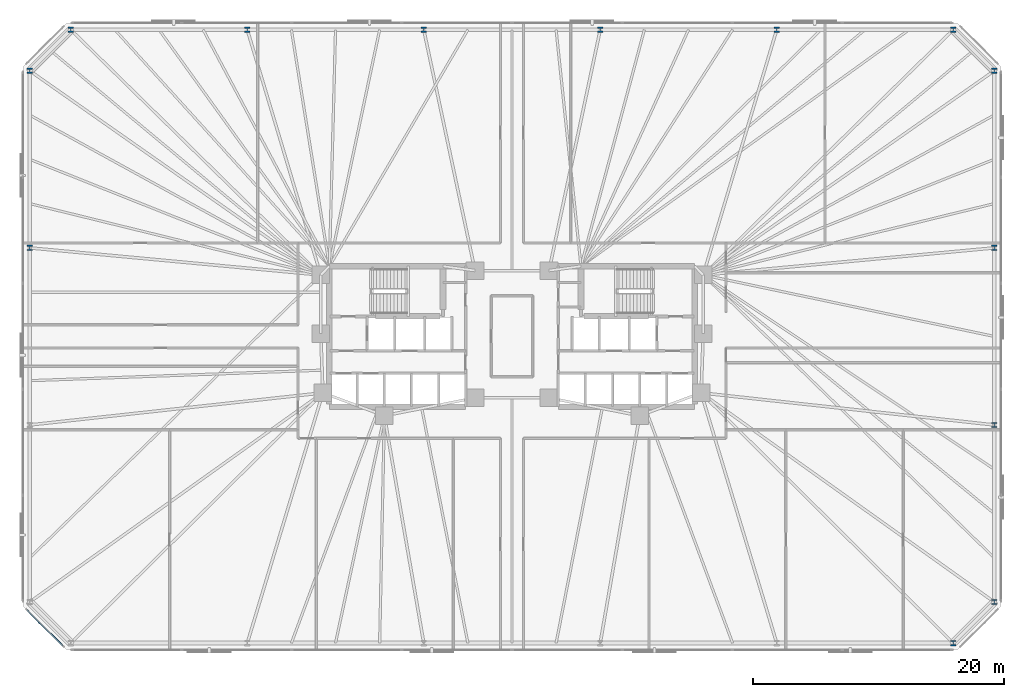
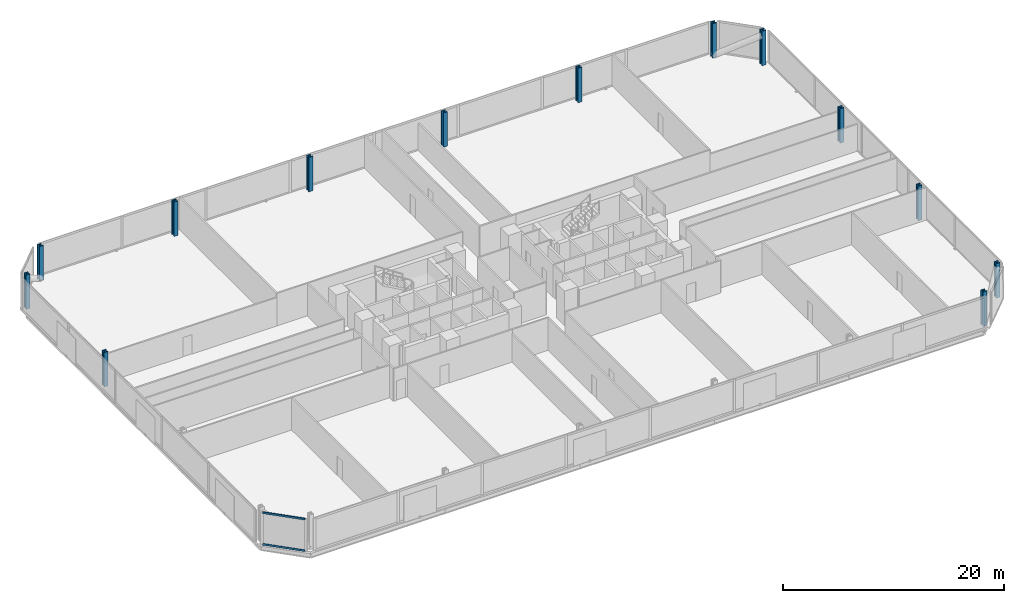
# One storey, part 5 of 17: 13 columns, 2 members, 1 element without a shape of its own.
"""IFC4 building model written with IfcOpenShell, lengths in metres."""

import ifcopenshell
import ifcopenshell.guid

model = None  # the IFC model being written
_history = None  # IfcOwnerHistory: only IFC2X3 demands one
_inside = {}  # id of a spatial element -> (the spatial element, [elements in it])
_under = {}  # id of a project, library or spatial element -> (it, [spatial elements below it])
_declared = {}  # id of a project -> (the project, [libraries it declares])
_typed = {}  # id of a type object -> (the type object, [elements of that type])
_made_of = {}  # id of a material, layer set ... -> (it, [elements and type objects made of it])


def new_model(schema):
    """Start an empty IFC model of exactly this schema.

    Asked for "IFC4X3", IfcOpenShell would pick the latest addendum, in which some entities
    have other attributes; the version numbers below select the first issue.
    IFC2X3 requires an IfcOwnerHistory on every rooted entity: one is made here for all.
    """
    global model, _history
    if schema == "IFC4X3":
        model = ifcopenshell.file(schema_version=(4, 3, 0, 0))
    else:
        model = ifcopenshell.file(schema=schema)
    _inside.clear()
    _under.clear()
    _declared.clear()
    _typed.clear()
    _made_of.clear()
    _history = None
    if model.schema == "IFC2X3":
        org = make("IfcOrganization", Name="unknown")
        user = make(
            "IfcPersonAndOrganization",
            ThePerson=make("IfcPerson", FamilyName="unknown"),
            TheOrganization=org,
        )
        app = make(
            "IfcApplication",
            ApplicationDeveloper=org,
            Version="unknown",
            ApplicationFullName="unknown",
            ApplicationIdentifier="unknown",
        )
        _history = make(
            "IfcOwnerHistory",
            OwningUser=user,
            OwningApplication=app,
            ChangeAction="ADDED",
            CreationDate=0,
        )
    return model


def make(cls, **values):
    """One entity of the class cls with the attributes given. An attribute that is None is left unset."""
    return model.create_entity(
        cls, **{name: value for name, value in values.items() if value is not None}
    )


def rooted(cls, **values):
    """An entity with a GlobalId (a new one), such as an element, a storey or a relation."""
    return make(cls, GlobalId=ifcopenshell.guid.new(), OwnerHistory=_history, **values)


def si_unit(unit_type, name, prefix=None):
    """IfcSIUnit, for example si_unit("LENGTHUNIT", "METRE", prefix="MILLI")."""
    return make("IfcSIUnit", UnitType=unit_type, Prefix=prefix, Name=name)


def assignment(units):
    """IfcUnitAssignment: the units of a project."""
    return None if units is None else make("IfcUnitAssignment", Units=units)


def point(xyz):
    """IfcCartesianPoint."""
    return None if xyz is None else make("IfcCartesianPoint", Coordinates=xyz)


def direction(xyz):
    """IfcDirection."""
    return None if xyz is None else make("IfcDirection", DirectionRatios=xyz)


def frame(location, z_axis=None, x_axis=None):
    """IfcAxis2Placement3D, a coordinate frame: its origin and axes. An axis left out is left unset."""
    return make(
        "IfcAxis2Placement3D",
        Location=point(location),
        Axis=direction(z_axis),
        RefDirection=direction(x_axis),
    )


def frame_2d(location, x_axis=None):
    """IfcAxis2Placement2D, a coordinate frame in the plane: its origin and x axis."""
    return make(
        "IfcAxis2Placement2D", Location=point(location), RefDirection=direction(x_axis)
    )


def origin():
    """The frame at (0, 0, 0) with its axes left unset."""
    return frame((0.0, 0.0, 0.0))


def origin_2d():
    """The frame at (0, 0) in the plane with its x axis left unset."""
    return frame_2d((0.0, 0.0))


def place(relative_to, where):
    """IfcLocalPlacement: puts the frame where relative to a parent placement (None: the world)."""
    return make(
        "IfcLocalPlacement", PlacementRelTo=relative_to, RelativePlacement=where
    )


def context(
    kind, dimensions, precision=None, world=None, true_north=None, identifier=None
):
    """IfcGeometricRepresentationContext, for example the 3D "Model" context."""
    return make(
        "IfcGeometricRepresentationContext",
        ContextIdentifier=identifier,
        ContextType=kind,
        CoordinateSpaceDimension=dimensions,
        Precision=precision,
        WorldCoordinateSystem=world,
        TrueNorth=true_north,
    )


def subcontext(parent, identifier, kind, view, scale=None):
    """IfcGeometricRepresentationSubContext, for example "Body" below "Model"."""
    return make(
        "IfcGeometricRepresentationSubContext",
        ContextIdentifier=identifier,
        ContextType=kind,
        ParentContext=parent,
        TargetScale=scale,
        TargetView=view,
    )


def project(units=None, contexts=None):
    """IfcProject with its units and contexts."""
    return rooted(
        "IfcProject",
        Name="project",
        RepresentationContexts=contexts,
        UnitsInContext=assignment(units),
    )


def spatial(cls, under=None, at=None, **own):
    """A site, building, storey or space (cls), placed at a placement, below another one or the project."""
    s = rooted(cls, ObjectPlacement=at, **own)
    if under is not None:
        _under.setdefault(under.id(), (under, []))[1].append(s)
    return s


def profile(cls, at=None, kind="AREA", **sizes):
    """A parametric profile (cls). Its sizes go by their IFC names, for example OverallWidth=200.0."""
    return make(cls, ProfileType=kind, Position=at, **sizes)


def rectangle(**sizes):
    """IfcRectangleProfileDef."""
    return profile("IfcRectangleProfileDef", **sizes)


def i_section(**sizes):
    """IfcIShapeProfileDef."""
    return profile("IfcIShapeProfileDef", **sizes)


def extrude(swept, where, along, depth):
    """IfcExtrudedAreaSolid: the profile swept, set in the frame where, extruded along a direction by depth."""
    return make(
        "IfcExtrudedAreaSolid",
        SweptArea=swept,
        Position=where,
        ExtrudedDirection=direction(along),
        Depth=depth,
    )


def shape(context_of_items, identifier, shape_type, items):
    """IfcShapeRepresentation: the items that make up one representation, for example the "Body"."""
    return make(
        "IfcShapeRepresentation",
        ContextOfItems=context_of_items,
        RepresentationIdentifier=identifier,
        RepresentationType=shape_type,
        Items=items,
    )


def material(Name=None, Category=None):
    """IfcMaterial."""
    return make("IfcMaterial", Name=Name, Category=Category)


def material_profile(
    of_material, cross_section, Name=None, Category=None, Priority=None
):
    """IfcMaterialProfile: a cross section and its material."""
    return make(
        "IfcMaterialProfile",
        Name=Name,
        Material=of_material,
        Profile=cross_section,
        Priority=Priority,
        Category=Category,
    )


def profile_set(profiles, Name=None, composite=None):
    """IfcMaterialProfileSet."""
    return make(
        "IfcMaterialProfileSet",
        Name=Name,
        MaterialProfiles=profiles,
        CompositeProfile=composite,
    )


def made_of(thing, what):
    """Note that an element or type object is made of a material, layer set ...; save() writes the relation."""
    if what is not None:
        _made_of.setdefault(what.id(), (what, []))[1].append(thing)
    return thing


def type_object(cls, material=None, **own):
    """A type object (cls), such as IfcWallType, which elements share."""
    return made_of(rooted(cls, **own), material)


def element(
    cls,
    number,
    at=None,
    inside=None,
    cuts=None,
    type_object=None,
    material=None,
    context=None,
    identifier="Body",
    shape_type=None,
    held_by="IfcProductDefinitionShape",
    body=None,
    shapes=None,
    **own,
):
    """One element of the class cls, such as IfcWall. Its Tag is "e" and its number.

    at: its placement. inside: the storey or other place that contains it. cuts: it is an
    opening in that element (IfcRelVoidsElement). A single representation is given by context,
    identifier, shape_type and body (its items); several are given by shapes. held_by: the class
    of the entity that holds the representations. save() writes the other relations.
    """
    e = rooted(cls, Tag="e%d" % number, ObjectPlacement=at, **own)
    if body is not None:
        shapes = [shape(context, identifier, shape_type, body)]
    if shapes is not None:
        e.Representation = make(held_by, Representations=shapes)
    if inside is not None:
        _inside.setdefault(inside.id(), (inside, []))[1].append(e)
    if cuts is not None:
        rooted(
            "IfcRelVoidsElement", RelatingBuildingElement=cuts, RelatedOpeningElement=e
        )
    if type_object is not None:
        _typed.setdefault(type_object.id(), (type_object, []))[1].append(e)
    return made_of(e, material)


def aggregate(whole, parts):
    """IfcRelAggregates: a whole, such as a stair, and the parts it consists of."""
    return rooted("IfcRelAggregates", RelatingObject=whole, RelatedObjects=parts)


def save(model, path):
    """Write the relations noted so far, then the file.

    IfcRelAggregates (storeys below a building ...), IfcRelContainedInSpatialStructure (elements
    in a storey), IfcRelDefinesByType, IfcRelAssociatesMaterial and IfcRelDeclares: one each for
    every whole, place, type object, material and project.
    """
    for whole, parts in _under.values():
        aggregate(whole, parts)
    for where, things in _inside.values():
        rooted(
            "IfcRelContainedInSpatialStructure",
            RelatedElements=things,
            RelatingStructure=where,
        )
    for kind, things in _typed.values():
        rooted("IfcRelDefinesByType", RelatedObjects=things, RelatingType=kind)
    for what, things in _made_of.values():
        rooted("IfcRelAssociatesMaterial", RelatedObjects=things, RelatingMaterial=what)
    for by, libraries in _declared.values():
        rooted("IfcRelDeclares", RelatingContext=by, RelatedDefinitions=libraries)
    model.write(path)


model = new_model("IFC4")

# Units and contexts
model_context = context("Model", 3, precision=1e-05, world=origin(), true_north=direction((0.0, 1.0)))
body_context = subcontext(model_context, "Body", "Model", "MODEL_VIEW")
ifc_project = project(units=[si_unit("LENGTHUNIT", "METRE"), si_unit("AREAUNIT", "SQUARE_METRE"), si_unit("VOLUMEUNIT", "CUBIC_METRE"), si_unit("PLANEANGLEUNIT", "RADIAN"), si_unit("MASSUNIT", "GRAM", prefix="KILO")], contexts=[model_context])

# Site, building, storey
site_placement = place(None, origin())
site = spatial("IfcSite", under=ifc_project, at=site_placement, CompositionType="ELEMENT")
building_placement = place(site_placement, origin())
building = spatial("IfcBuilding", under=site, at=building_placement, Name="Menara Jurai Vektor", CompositionType="ELEMENT")
storey_placement = place(building_placement, frame((0.0, 0.0, 56.0)))
storey = spatial("IfcBuildingStorey", under=building, at=storey_placement, Name="L13", CompositionType="ELEMENT", Elevation=56.0)

# Columns
ifc_material_1 = material(Name="Steel S460", Category="steel")
ifc_material_profile_1 = material_profile(ifc_material_1, i_section(OverallWidth=0.419921875, OverallDepth=0.430908203125, WebThickness=0.06494140625, FlangeThickness=0.10595703125, FilletRadius=0.014892578125, at=origin_2d()), Name="HD 400x900")
ifc_profile_set_1 = profile_set([ifc_material_profile_1], Name="Steel S460")
column_type = type_object("IfcColumnType", Name="STR-EXO-BLK1", PredefinedType="COLUMN", material=ifc_profile_set_1)
for number, where, z_axis, x_axis, name in (
    (1, (35.177734375, -24.449951171875, 0.0), (0.0, 0.0, 1.0), (1.0, 0.0, 0.0), "Exoskeleton Column BLK1-S6 L13"),
    (2, (38.449951171875, -21.177734375, 0.0), (0.0, 0.0, 1.0), (1.0, 0.0, 0.0), "Exoskeleton Column BLK1-E1 L13"),
    (3, (38.449951171875, -7.059326171875, 0.0), (0.0, 0.0, 1.0), (1.0, 0.0, 0.0), "Exoskeleton Column BLK1-E2 L13"),
    (4, (38.449951171875, 7.059326171875, 0.0), (0.0, 0.0, 1.0), (1.0, 0.0, 0.0), "Exoskeleton Column BLK1-E3 L13"),
    (5, (38.449951171875, 21.177734375, 0.0), (0.0, 0.0, 1.0), (1.0, 0.0, 0.0), "Exoskeleton Column BLK1-E4 L13"),
    (6, (35.177734375, 24.449951171875, 0.0), (0.0, 0.0, 1.0), (1.0, 0.0, 0.0), "Exoskeleton Column BLK1-N1 L13"),
    (7, (21.106689453125, 24.449951171875, 0.0), (0.0, 0.0, 1.0), (1.0, 0.0, 0.0), "Exoskeleton Column BLK1-N2 L13"),
    (8, (7.03564453125, 24.449951171875, 0.0), (0.0, 0.0, 1.0), (1.0, 0.0, 0.0), "Exoskeleton Column BLK1-N3 L13"),
    (9, (-7.03564453125, 24.449951171875, 0.0), (0.0, 0.0, 1.0), (1.0, 0.0, 0.0), "Exoskeleton Column BLK1-N4 L13"),
    (10, (-21.106689453125, 24.449951171875, 0.0), (0.0, 0.0, 1.0), (1.0, 0.0, 0.0), "Exoskeleton Column BLK1-N5 L13"),
    (11, (-35.177734375, 24.449951171875, 0.0), (0.0, 0.0, 1.0), (1.0, 0.0, 0.0), "Exoskeleton Column BLK1-N6 L13"),
    (12, (-38.449951171875, 21.177734375, 0.0), (0.0, 0.0, 1.0), (1.0, 0.0, 0.0), "Exoskeleton Column BLK1-W1 L13"),
    (13, (-38.449951171875, 7.059326171875, 0.0), (0.0, 0.0, 1.0), (1.0, 0.0, 0.0), "Exoskeleton Column BLK1-W2 L13"),
):
    element("IfcColumn", number, at=place(storey_placement, frame(where, z_axis=z_axis, x_axis=x_axis)), inside=storey, type_object=column_type, Name=name, PredefinedType="COLUMN", context=body_context, shape_type="SweptSolid", body=[
        extrude(i_section(OverallWidth=0.419921875, OverallDepth=0.430908203125, WebThickness=0.06494140625, FlangeThickness=0.10595703125, FilletRadius=0.014892578125, at=origin_2d()), origin(), (0.0, 0.0, 1.0), 3.800048828125),
    ])

# Curtain wall, members
ifc_material_2 = material(Name="Anodised Pale Aluminium & Low-E Double Glazing", Category="aluminium")
curtain_wall_type = type_object("IfcCurtainWallType", Name="CW-BLK1", PredefinedType="NOTDEFINED", material=ifc_material_2)
curtain_wall_placement = place(storey_placement, origin())
curtain_wall = element("IfcCurtainWall", 14, at=curtain_wall_placement, inside=storey, type_object=curtain_wall_type, Name="Unitised Curtain Wall L13 F08", PredefinedType="NOTDEFINED")
ifc_material_3 = material(Name="Anodised Pale Aluminium Transom", Category="aluminium")
ifc_material_profile_2 = material_profile(ifc_material_3, rectangle(XDim=0.094970703125, YDim=0.199951171875, at=origin_2d()), Name="ALU TRN 95x200")
ifc_profile_set_2 = profile_set([ifc_material_profile_2], Name="Anodised Pale Aluminium Transom")
member_type = type_object("IfcMemberType", Name="CW-BLK1-TRN", PredefinedType="USERDEFINED", material=ifc_profile_set_2)
member_1_placement = place(storey_placement, frame((-38.6640625, -21.8359375, 0.047607421875), z_axis=(0.707106781187, -0.707106781187, 0.0), x_axis=(0.707106781187, 0.707106781187, 0.0)))
member_1 = element("IfcMember", 15, at=member_1_placement, type_object=member_type, Name="CW-01 transom 1.1", ObjectType="TRANSOM", PredefinedType="USERDEFINED", context=body_context, shape_type="SweptSolid", body=[
    extrude(rectangle(XDim=0.094970703125, YDim=0.199951171875, at=origin_2d()), origin(), (0.0, 0.0, 1.0), 3.99951171875),
])
member_2_placement = place(storey_placement, frame((-38.6640625, -21.8359375, 3.527587890625), z_axis=(0.707106781187, -0.707106781187, 0.0), x_axis=(0.707106781187, 0.707106781187, 0.0)))
member_2 = element("IfcMember", 16, at=member_2_placement, type_object=member_type, Name="CW-01 transom 1.2", ObjectType="TRANSOM", PredefinedType="USERDEFINED", context=body_context, shape_type="SweptSolid", body=[
    extrude(rectangle(XDim=0.094970703125, YDim=0.199951171875, at=origin_2d()), origin(), (0.0, 0.0, 1.0), 3.99951171875),
])
aggregate(curtain_wall, [member_1, member_2])

save(model, "model.ifc")
